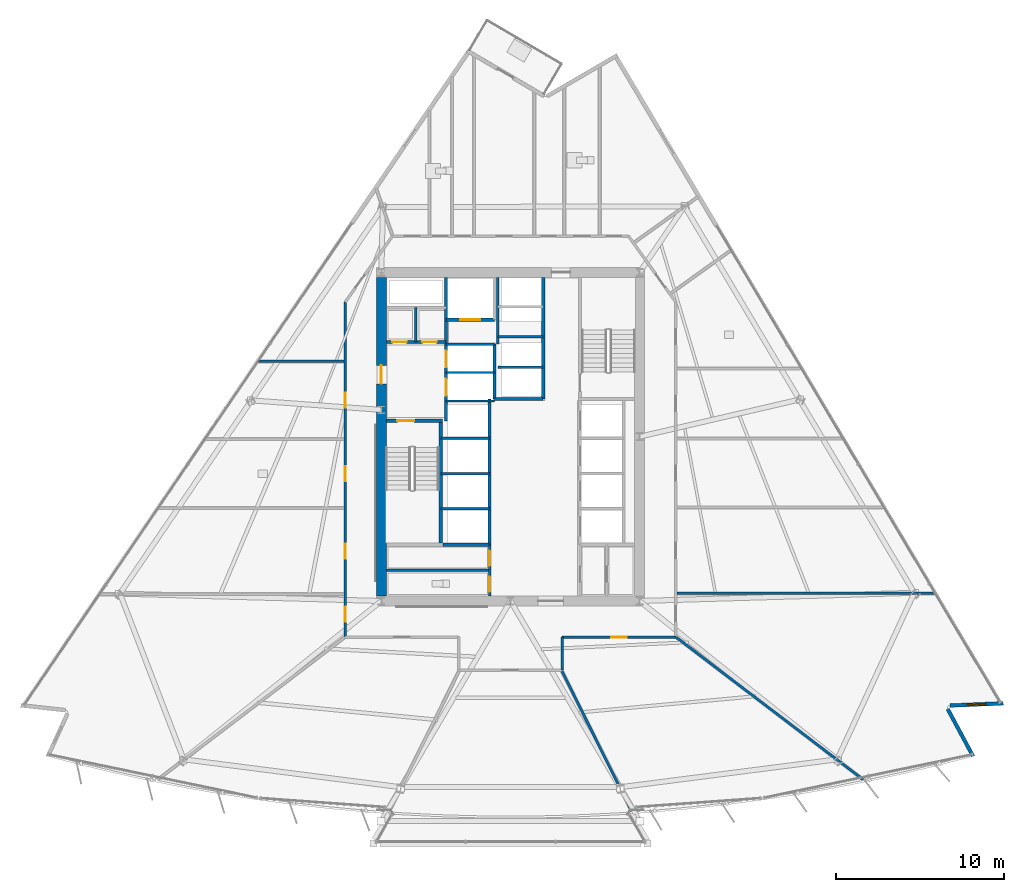
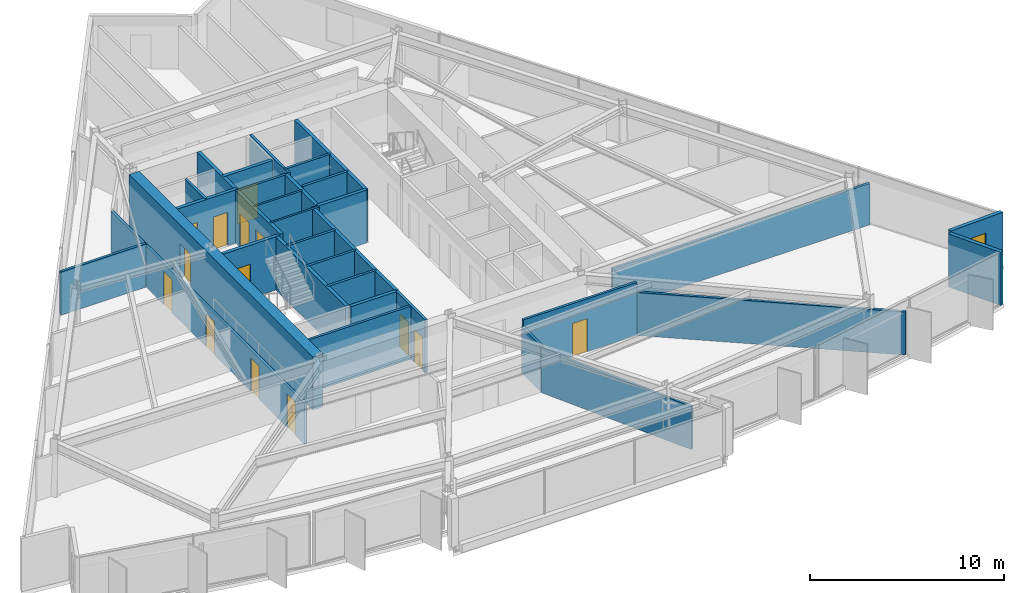
# One storey, part 9 of 16: 32 walls, 14 doors, 1 window, 15 openings.
"""IFC4 building model written with IfcOpenShell, lengths in metres."""

import ifcopenshell
import ifcopenshell.guid

model = None  # the IFC model being written
_history = None  # IfcOwnerHistory: only IFC2X3 demands one
_inside = {}  # id of a spatial element -> (the spatial element, [elements in it])
_under = {}  # id of a project, library or spatial element -> (it, [spatial elements below it])
_declared = {}  # id of a project -> (the project, [libraries it declares])
_typed = {}  # id of a type object -> (the type object, [elements of that type])
_made_of = {}  # id of a material, layer set ... -> (it, [elements and type objects made of it])


def new_model(schema):
    """Start an empty IFC model of exactly this schema.

    Asked for "IFC4X3", IfcOpenShell would pick the latest addendum, in which some entities
    have other attributes; the version numbers below select the first issue.
    IFC2X3 requires an IfcOwnerHistory on every rooted entity: one is made here for all.
    """
    global model, _history
    if schema == "IFC4X3":
        model = ifcopenshell.file(schema_version=(4, 3, 0, 0))
    else:
        model = ifcopenshell.file(schema=schema)
    _inside.clear()
    _under.clear()
    _declared.clear()
    _typed.clear()
    _made_of.clear()
    _history = None
    if model.schema == "IFC2X3":
        org = make("IfcOrganization", Name="unknown")
        user = make(
            "IfcPersonAndOrganization",
            ThePerson=make("IfcPerson", FamilyName="unknown"),
            TheOrganization=org,
        )
        app = make(
            "IfcApplication",
            ApplicationDeveloper=org,
            Version="unknown",
            ApplicationFullName="unknown",
            ApplicationIdentifier="unknown",
        )
        _history = make(
            "IfcOwnerHistory",
            OwningUser=user,
            OwningApplication=app,
            ChangeAction="ADDED",
            CreationDate=0,
        )
    return model


def make(cls, **values):
    """One entity of the class cls with the attributes given. An attribute that is None is left unset."""
    return model.create_entity(
        cls, **{name: value for name, value in values.items() if value is not None}
    )


def rooted(cls, **values):
    """An entity with a GlobalId (a new one), such as an element, a storey or a relation."""
    return make(cls, GlobalId=ifcopenshell.guid.new(), OwnerHistory=_history, **values)


def si_unit(unit_type, name, prefix=None):
    """IfcSIUnit, for example si_unit("LENGTHUNIT", "METRE", prefix="MILLI")."""
    return make("IfcSIUnit", UnitType=unit_type, Prefix=prefix, Name=name)


def assignment(units):
    """IfcUnitAssignment: the units of a project."""
    return None if units is None else make("IfcUnitAssignment", Units=units)


def point(xyz):
    """IfcCartesianPoint."""
    return None if xyz is None else make("IfcCartesianPoint", Coordinates=xyz)


def direction(xyz):
    """IfcDirection."""
    return None if xyz is None else make("IfcDirection", DirectionRatios=xyz)


def frame(location, z_axis=None, x_axis=None):
    """IfcAxis2Placement3D, a coordinate frame: its origin and axes. An axis left out is left unset."""
    return make(
        "IfcAxis2Placement3D",
        Location=point(location),
        Axis=direction(z_axis),
        RefDirection=direction(x_axis),
    )


def frame_2d(location, x_axis=None):
    """IfcAxis2Placement2D, a coordinate frame in the plane: its origin and x axis."""
    return make(
        "IfcAxis2Placement2D", Location=point(location), RefDirection=direction(x_axis)
    )


def origin():
    """The frame at (0, 0, 0) with its axes left unset."""
    return frame((0.0, 0.0, 0.0))


def place(relative_to, where):
    """IfcLocalPlacement: puts the frame where relative to a parent placement (None: the world)."""
    return make(
        "IfcLocalPlacement", PlacementRelTo=relative_to, RelativePlacement=where
    )


def context(
    kind, dimensions, precision=None, world=None, true_north=None, identifier=None
):
    """IfcGeometricRepresentationContext, for example the 3D "Model" context."""
    return make(
        "IfcGeometricRepresentationContext",
        ContextIdentifier=identifier,
        ContextType=kind,
        CoordinateSpaceDimension=dimensions,
        Precision=precision,
        WorldCoordinateSystem=world,
        TrueNorth=true_north,
    )


def subcontext(parent, identifier, kind, view, scale=None):
    """IfcGeometricRepresentationSubContext, for example "Body" below "Model"."""
    return make(
        "IfcGeometricRepresentationSubContext",
        ContextIdentifier=identifier,
        ContextType=kind,
        ParentContext=parent,
        TargetScale=scale,
        TargetView=view,
    )


def project(units=None, contexts=None):
    """IfcProject with its units and contexts."""
    return rooted(
        "IfcProject",
        Name="project",
        RepresentationContexts=contexts,
        UnitsInContext=assignment(units),
    )


def spatial(cls, under=None, at=None, **own):
    """A site, building, storey or space (cls), placed at a placement, below another one or the project."""
    s = rooted(cls, ObjectPlacement=at, **own)
    if under is not None:
        _under.setdefault(under.id(), (under, []))[1].append(s)
    return s


def profile(cls, at=None, kind="AREA", **sizes):
    """A parametric profile (cls). Its sizes go by their IFC names, for example OverallWidth=200.0."""
    return make(cls, ProfileType=kind, Position=at, **sizes)


def rectangle(**sizes):
    """IfcRectangleProfileDef."""
    return profile("IfcRectangleProfileDef", **sizes)


def extrude(swept, where, along, depth):
    """IfcExtrudedAreaSolid: the profile swept, set in the frame where, extruded along a direction by depth."""
    return make(
        "IfcExtrudedAreaSolid",
        SweptArea=swept,
        Position=where,
        ExtrudedDirection=direction(along),
        Depth=depth,
    )


def shape(context_of_items, identifier, shape_type, items):
    """IfcShapeRepresentation: the items that make up one representation, for example the "Body"."""
    return make(
        "IfcShapeRepresentation",
        ContextOfItems=context_of_items,
        RepresentationIdentifier=identifier,
        RepresentationType=shape_type,
        Items=items,
    )


def material(Name=None, Category=None):
    """IfcMaterial."""
    return make("IfcMaterial", Name=Name, Category=Category)


def layer(
    of_material, thickness, ventilated=None, Name=None, Category=None, Priority=None
):
    """IfcMaterialLayer: one layer of a wall or slab, of a material (None: an air gap)."""
    return make(
        "IfcMaterialLayer",
        Material=of_material,
        LayerThickness=thickness,
        IsVentilated=ventilated,
        Name=Name,
        Category=Category,
        Priority=Priority,
    )


def layer_set(layers, Name=None):
    """IfcMaterialLayerSet."""
    return make("IfcMaterialLayerSet", MaterialLayers=layers, LayerSetName=Name)


def made_of(thing, what):
    """Note that an element or type object is made of a material, layer set ...; save() writes the relation."""
    if what is not None:
        _made_of.setdefault(what.id(), (what, []))[1].append(thing)
    return thing


def type_object(cls, material=None, **own):
    """A type object (cls), such as IfcWallType, which elements share."""
    return made_of(rooted(cls, **own), material)


def element(
    cls,
    number,
    at=None,
    inside=None,
    cuts=None,
    type_object=None,
    material=None,
    context=None,
    identifier="Body",
    shape_type=None,
    held_by="IfcProductDefinitionShape",
    body=None,
    shapes=None,
    **own,
):
    """One element of the class cls, such as IfcWall. Its Tag is "e" and its number.

    at: its placement. inside: the storey or other place that contains it. cuts: it is an
    opening in that element (IfcRelVoidsElement). A single representation is given by context,
    identifier, shape_type and body (its items); several are given by shapes. held_by: the class
    of the entity that holds the representations. save() writes the other relations.
    """
    e = rooted(cls, Tag="e%d" % number, ObjectPlacement=at, **own)
    if body is not None:
        shapes = [shape(context, identifier, shape_type, body)]
    if shapes is not None:
        e.Representation = make(held_by, Representations=shapes)
    if inside is not None:
        _inside.setdefault(inside.id(), (inside, []))[1].append(e)
    if cuts is not None:
        rooted(
            "IfcRelVoidsElement", RelatingBuildingElement=cuts, RelatedOpeningElement=e
        )
    if type_object is not None:
        _typed.setdefault(type_object.id(), (type_object, []))[1].append(e)
    return made_of(e, material)


def fill(opening, filler):
    """IfcRelFillsElement: the door or window that sits in an opening."""
    return rooted(
        "IfcRelFillsElement",
        RelatingOpeningElement=opening,
        RelatedBuildingElement=filler,
    )


def aggregate(whole, parts):
    """IfcRelAggregates: a whole, such as a stair, and the parts it consists of."""
    return rooted("IfcRelAggregates", RelatingObject=whole, RelatedObjects=parts)


def save(model, path):
    """Write the relations noted so far, then the file.

    IfcRelAggregates (storeys below a building ...), IfcRelContainedInSpatialStructure (elements
    in a storey), IfcRelDefinesByType, IfcRelAssociatesMaterial and IfcRelDeclares: one each for
    every whole, place, type object, material and project.
    """
    for whole, parts in _under.values():
        aggregate(whole, parts)
    for where, things in _inside.values():
        rooted(
            "IfcRelContainedInSpatialStructure",
            RelatedElements=things,
            RelatingStructure=where,
        )
    for kind, things in _typed.values():
        rooted("IfcRelDefinesByType", RelatedObjects=things, RelatingType=kind)
    for what, things in _made_of.values():
        rooted("IfcRelAssociatesMaterial", RelatedObjects=things, RelatingMaterial=what)
    for by, libraries in _declared.values():
        rooted("IfcRelDeclares", RelatingContext=by, RelatedDefinitions=libraries)
    model.write(path)


model = new_model("IFC4")

# Units and contexts
model_context = context("Model", 3, precision=1e-05, world=origin(), true_north=direction((0.0, 1.0)))
body_context = subcontext(model_context, "Body", "Model", "MODEL_VIEW")
ifc_project = project(units=[si_unit("LENGTHUNIT", "METRE"), si_unit("AREAUNIT", "SQUARE_METRE"), si_unit("VOLUMEUNIT", "CUBIC_METRE"), si_unit("PLANEANGLEUNIT", "RADIAN"), si_unit("MASSUNIT", "GRAM", prefix="KILO")], contexts=[model_context])

# Site, building, storey
site_placement = place(None, origin())
site = spatial("IfcSite", under=ifc_project, at=site_placement, CompositionType="ELEMENT")
building_placement = place(site_placement, origin())
building = spatial("IfcBuilding", under=site, at=building_placement, Name="Savorim Split Tower", CompositionType="ELEMENT")
storey_placement = place(building_placement, frame((0.0, 0.0, 66.0)))
storey = spatial("IfcBuildingStorey", under=building, at=storey_placement, Name="L17", CompositionType="ELEMENT", Elevation=66.0)

# Wall, opening, door
ifc_material_1 = material(Name="Concrete C60/75", Category="concrete")
ifc_layer_1 = layer(ifc_material_1, 0.60009765625)
ifc_layer_set_1 = layer_set([ifc_layer_1], Name="WAL-COR-SH600")
wall_type_1 = type_object("IfcWallType", Name="WAL-COR-SH600", PredefinedType="SHEAR", material=ifc_layer_set_1)
wall_1_placement = place(storey_placement, frame((-7.699951171875, -9.10009765625, 0.0), z_axis=(0.0, 0.0, 1.0), x_axis=(0.0, 1.0, 0.0)))
wall_1 = element("IfcWall", 1, at=wall_1_placement, inside=storey, type_object=wall_type_1, Name="L17 Offset Core West Shear Wall", PredefinedType="SHEAR", context=body_context, shape_type="SweptSolid", body=[
    extrude(rectangle(XDim=19.0, YDim=0.60009765625, at=frame_2d((9.5, 0.0))), origin(), (0.0, 0.0, 1.0), 3.35009765625),
])
opening_1_placement = place(wall_1_placement, frame((12.64990234375, 0.0, 0.0)))
opening_1 = element("IfcOpeningElement", 2, at=opening_1_placement, cuts=wall_1, Name="Opening DI-03", PredefinedType="OPENING", context=body_context, shape_type="SweptSolid", body=[
    extrude(rectangle(XDim=1.10009765625, YDim=2.14990234375, at=frame_2d((0.550048828125, 1.074951171875))), frame((0.0, 0.31005859375, 0.0), z_axis=(0.0, -1.0, 0.0), x_axis=(1.0, 0.0, 0.0)), (0.0, 0.0, 1.0), 0.6201171875),
])
ifc_material_2 = material(Name="Timber Fire Door Leaf", Category="wood")
door_type_1 = type_object("IfcDoorType", Name="DOR-FIR-1100", OperationType="NOTDEFINED", PredefinedType="DOOR", material=ifc_material_2)
door_1_placement = place(opening_1_placement, origin())
door_1 = element("IfcDoor", 3, at=door_1_placement, inside=storey, type_object=door_type_1, Name="DOR-L17-COR-FFLOB - L17 Firefighting Lobby Corridor Door", OperationType="SINGLE_SWING_LEFT", OverallHeight=2.14990234375, OverallWidth=1.10009765625, PredefinedType="DOOR", context=body_context, shape_type="SweptSolid", body=[
    extrude(rectangle(XDim=1.10009765625, YDim=2.14990234375, at=frame_2d((0.550048828125, 1.074951171875))), frame((0.0, 0.02490234375, 0.0), z_axis=(0.0, -1.0, 0.0), x_axis=(1.0, 0.0, 0.0)), (0.0, 0.0, 1.0), 0.050048828125),
])
fill(opening_1, door_1)

# Wall
ifc_material_3 = material(Name="Precast concrete C40/50", Category="concrete")
ifc_layer_2 = layer(ifc_material_3, 0.219970703125)
ifc_layer_set_2 = layer_set([ifc_layer_2], Name="WAL-EXT-CRN220")
wall_type_2 = type_object("IfcWallType", Name="WAL-EXT-CRN220", PredefinedType="SOLIDWALL", material=ifc_layer_set_2)
wall_2_placement = place(storey_placement, frame((26.085693359375, -15.852294921875, 0.0), z_axis=(0.0, 0.0, 1.0), x_axis=(0.472775670204, -0.881182821929, 0.0)))
element("IfcWall", 4, at=wall_2_placement, inside=storey, type_object=wall_type_2, Name="L17 Notched Corner Facade Wall SE1", PredefinedType="SOLIDWALL", context=body_context, shape_type="SweptSolid", body=[
    extrude(rectangle(XDim=3.189697265625, YDim=0.219970703125, at=frame_2d((1.5947265625, 0.0))), origin(), (0.0, 0.0, 1.0), 3.35009765625),
])

# Wall, opening, window
wall_3_placement = place(storey_placement, frame((29.39111328125, -15.50341796875, 0.0), z_axis=(0.0, 0.0, 1.0), x_axis=(-0.999095632957, -0.042519597906, 0.0)))
wall_3 = element("IfcWall", 5, at=wall_3_placement, inside=storey, type_object=wall_type_2, Name="L17 Notched Corner Facade Wall SE", PredefinedType="SOLIDWALL", context=body_context, shape_type="SweptSolid", body=[
    extrude(rectangle(XDim=3.186767578125, YDim=0.219970703125, at=frame_2d((1.59326171875, 0.0))), origin(), (0.0, 0.0, 1.0), 3.35009765625),
])
opening_2_placement = place(wall_3_placement, frame((1.043212890625, 0.0, 0.6201171875)))
opening_2 = element("IfcOpeningElement", 6, at=opening_2_placement, cuts=wall_3, Name="Opening WN-09", PredefinedType="OPENING", context=body_context, shape_type="SweptSolid", body=[
    extrude(rectangle(XDim=1.10009765625, YDim=1.800048828125, at=frame_2d((0.550048828125, 0.89990234375))), frame((0.0, 0.119873046875, 0.0), z_axis=(0.0, -1.0, 0.0), x_axis=(1.0, 0.0, 0.0)), (0.0, 0.0, 1.0), 0.239990234375),
])
ifc_material_4 = material(Name="Low-E Operable Double Glazing", Category="glass")
window_type = type_object("IfcWindowType", Name="WIN-TWR-1100x1800", PartitioningType="SINGLE_PANEL", PredefinedType="WINDOW", material=ifc_material_4)
window_placement = place(opening_2_placement, origin())
window = element("IfcWindow", 7, at=window_placement, inside=storey, type_object=window_type, Name="L17 Operable Corner Window SE", OverallHeight=1.800048828125, OverallWidth=1.10009765625, PartitioningType="SINGLE_PANEL", PredefinedType="WINDOW", context=body_context, shape_type="SweptSolid", body=[
    extrude(rectangle(XDim=1.10009765625, YDim=1.800048828125, at=frame_2d((0.550048828125, 0.89990234375))), frame((0.0, 0.030029296875, 0.0), z_axis=(0.0, -1.0, 0.0), x_axis=(1.0, 0.0, 0.0)), (0.0, 0.0, 1.0), 0.06005859375),
])
fill(opening_2, window)

# Wall, opening, door
ifc_material_5 = material(Name="Concrete C50/60", Category="concrete")
ifc_layer_3 = layer(ifc_material_5, 0.199951171875)
ifc_layer_set_3 = layer_set([ifc_layer_3], Name="WAL-INT-RC200")
wall_type_3 = type_object("IfcWallType", Name="WAL-INT-RC200", PredefinedType="SOLIDWALL", material=ifc_layer_set_3)
wall_4_placement = place(storey_placement, frame((-7.39990234375, 1.35009765625, 0.0), z_axis=(0.0, 0.0, 1.0), x_axis=(1.0, 0.0, 0.0)))
wall_4 = element("IfcWall", 8, at=wall_4_placement, inside=storey, type_object=wall_type_3, Name="L17 Structural Shaft Wall W-L17-CR01", PredefinedType="SOLIDWALL", context=body_context, shape_type="SweptSolid", body=[
    extrude(rectangle(XDim=3.349853515625, YDim=0.199951171875, at=frame_2d((1.6748046875, 0.0))), origin(), (0.0, 0.0, 1.0), 3.35009765625),
])
opening_3_placement = place(wall_4_placement, frame((0.64990234375, 0.0, 0.0)))
opening_3 = element("IfcOpeningElement", 9, at=opening_3_placement, cuts=wall_4, Name="Opening DI-04", PredefinedType="OPENING", context=body_context, shape_type="SweptSolid", body=[
    extrude(rectangle(XDim=1.0, YDim=2.14990234375, at=frame_2d((0.5, 1.074951171875))), frame((0.0, 0.10986328125, 0.0), z_axis=(0.0, -1.0, 0.0), x_axis=(1.0, 0.0, 0.0)), (0.0, 0.0, 1.0), 0.219970703125),
])
door_type_2 = type_object("IfcDoorType", Name="DOR-FIR-1000", OperationType="NOTDEFINED", PredefinedType="DOOR", material=ifc_material_2)
door_2_placement = place(opening_3_placement, origin())
door_2 = element("IfcDoor", 10, at=door_2_placement, inside=storey, type_object=door_type_2, Name="DR-L17-ST1 - L17 Stair ST-1 Enclosure Door", OperationType="SINGLE_SWING_LEFT", OverallHeight=2.14990234375, OverallWidth=1.0, PredefinedType="DOOR", context=body_context, shape_type="SweptSolid", body=[
    extrude(rectangle(XDim=1.0, YDim=2.14990234375, at=frame_2d((0.5, 1.074951171875))), frame((0.0, 0.02490234375, 0.0), z_axis=(0.0, -1.0, 0.0), x_axis=(1.0, 0.0, 0.0)), (0.0, 0.0, 1.0), 0.050048828125),
])
fill(opening_3, door_2)

# Wall
wall_5_placement = place(storey_placement, frame((-4.14990234375, -5.949951171875, 0.0), z_axis=(0.0, 0.0, 1.0), x_axis=(0.0, 1.0, 0.0)))
element("IfcWall", 11, at=wall_5_placement, inside=storey, type_object=wall_type_3, Name="L17 Structural Shaft Wall W-L17-CR02", PredefinedType="SOLIDWALL", context=body_context, shape_type="SweptSolid", body=[
    extrude(rectangle(XDim=7.199951171875, YDim=0.199951171875, at=frame_2d((3.60009765625, 0.0))), origin(), (0.0, 0.0, 1.0), 3.35009765625),
])

# Wall, openings, doors
wall_6_placement = place(storey_placement, frame((-3.85009765625, 1.35009765625, 0.0), z_axis=(0.0, 0.0, 1.0), x_axis=(0.0, 1.0, 0.0)))
wall_6 = element("IfcWall", 12, at=wall_6_placement, inside=storey, type_object=wall_type_3, Name="L17 Partition W-L17-CR03", PredefinedType="SOLIDWALL", context=body_context, shape_type="SweptSolid", body=[
    extrude(rectangle(XDim=8.544921875, YDim=0.199951171875, at=frame_2d((4.2724609375, 0.0))), origin(), (0.0, 0.0, 1.0), 3.35009765625),
])
opening_4_placement = place(wall_6_placement, frame((1.5, 0.0, 0.0)))
opening_4 = element("IfcOpeningElement", 13, at=opening_4_placement, cuts=wall_6, Name="Opening LD-FFL", PredefinedType="OPENING", context=body_context, shape_type="SweptSolid", body=[
    extrude(rectangle(XDim=1.0, YDim=2.14990234375, at=frame_2d((0.5, 1.074951171875))), frame((0.0, 0.10986328125, 0.0), z_axis=(0.0, -1.0, 0.0), x_axis=(1.0, 0.0, 0.0)), (0.0, 0.0, 1.0), 0.219970703125),
])
opening_5_placement = place(wall_6_placement, frame((3.179931640625, 0.0, 0.0)))
opening_5 = element("IfcOpeningElement", 14, at=opening_5_placement, cuts=wall_6, Name="Opening LD-FFL", PredefinedType="OPENING", context=body_context, shape_type="SweptSolid", body=[
    extrude(rectangle(XDim=1.0, YDim=2.14990234375, at=frame_2d((0.5, 1.074951171875))), frame((0.0, 0.10986328125, 0.0), z_axis=(0.0, -1.0, 0.0), x_axis=(1.0, 0.0, 0.0)), (0.0, 0.0, 1.0), 0.219970703125),
])
ifc_material_6 = material(Name="Charcoal Anodised Aluminium", Category="aluminium")
door_type_3 = type_object("IfcDoorType", Name="DOR-SLD-LD1000", OperationType="NOTDEFINED", PredefinedType="DOOR", material=ifc_material_6)
door_3_placement = place(opening_4_placement, origin())
door_3 = element("IfcDoor", 15, at=door_3_placement, inside=storey, type_object=door_type_3, Name="DR-L17-LD-FFL1 - L17 Firefighting Lift FFL-1 Sliding Landing Door", OperationType="DOUBLE_DOOR_SLIDING", OverallHeight=2.14990234375, OverallWidth=1.0, PredefinedType="DOOR", context=body_context, shape_type="SweptSolid", body=[
    extrude(rectangle(XDim=1.0, YDim=2.14990234375, at=frame_2d((0.5, 1.074951171875))), frame((0.0, 0.02490234375, 0.0), z_axis=(0.0, -1.0, 0.0), x_axis=(1.0, 0.0, 0.0)), (0.0, 0.0, 1.0), 0.050048828125),
])
fill(opening_4, door_3)
door_4_placement = place(opening_5_placement, origin())
door_4 = element("IfcDoor", 16, at=door_4_placement, inside=storey, type_object=door_type_3, Name="DR-L17-LD-FFL2 - L17 Firefighting Lift FFL-2 Sliding Landing Door", OperationType="DOUBLE_DOOR_SLIDING", OverallHeight=2.14990234375, OverallWidth=1.0, PredefinedType="DOOR", context=body_context, shape_type="SweptSolid", body=[
    extrude(rectangle(XDim=1.0, YDim=2.14990234375, at=frame_2d((0.5, 1.074951171875))), frame((0.0, 0.02490234375, 0.0), z_axis=(0.0, -1.0, 0.0), x_axis=(1.0, 0.0, 0.0)), (0.0, 0.0, 1.0), 0.050048828125),
])
fill(opening_5, door_4)

wall_7_placement = place(storey_placement, frame((-7.39501953125, 6.050048828125, 0.0), z_axis=(0.0, 0.0, 1.0), x_axis=(1.0, 0.0, 0.0)))
wall_7 = element("IfcWall", 17, at=wall_7_placement, inside=storey, type_object=wall_type_3, Name="L17 Partition W-L17-CR04", PredefinedType="SOLIDWALL", context=body_context, shape_type="SweptSolid", body=[
    extrude(rectangle(XDim=3.544921875, YDim=0.199951171875, at=frame_2d((1.7724609375, 0.0))), origin(), (0.0, 0.0, 1.0), 3.35009765625),
])
opening_6_placement = place(wall_7_placement, frame((0.344970703125, 0.0, 0.0)))
opening_6 = element("IfcOpeningElement", 18, at=opening_6_placement, cuts=wall_7, Name="Opening DI-12", PredefinedType="OPENING", context=body_context, shape_type="SweptSolid", body=[
    extrude(rectangle(XDim=0.85009765625, YDim=2.10009765625, at=frame_2d((0.425048828125, 1.050048828125))), frame((0.0, 0.10986328125, 0.0), z_axis=(0.0, -1.0, 0.0), x_axis=(1.0, 0.0, 0.0)), (0.0, 0.0, 1.0), 0.219970703125),
])
opening_7_placement = place(wall_7_placement, frame((2.14501953125, 0.0, 0.0)))
opening_7 = element("IfcOpeningElement", 19, at=opening_7_placement, cuts=wall_7, Name="Opening DI-12", PredefinedType="OPENING", context=body_context, shape_type="SweptSolid", body=[
    extrude(rectangle(XDim=0.85009765625, YDim=2.10009765625, at=frame_2d((0.425048828125, 1.050048828125))), frame((0.0, 0.10986328125, 0.0), z_axis=(0.0, -1.0, 0.0), x_axis=(1.0, 0.0, 0.0)), (0.0, 0.0, 1.0), 0.219970703125),
])
ifc_material_7 = material(Name="Galvanised Painted Steel Balustrade", Category="steel")
door_type_4 = type_object("IfcDoorType", Name="DOR-RIS-850", OperationType="NOTDEFINED", PredefinedType="DOOR", material=ifc_material_7)
door_5_placement = place(opening_6_placement, origin())
door_5 = element("IfcDoor", 20, at=door_5_placement, inside=storey, type_object=door_type_4, Name="DR-L17-ELR - L17 Electrical Riser Access Door", OperationType="SINGLE_SWING_RIGHT", OverallHeight=2.10009765625, OverallWidth=0.85009765625, PredefinedType="DOOR", context=body_context, shape_type="SweptSolid", body=[
    extrude(rectangle(XDim=0.85009765625, YDim=2.10009765625, at=frame_2d((0.425048828125, 1.050048828125))), frame((0.0, 0.02490234375, 0.0), z_axis=(0.0, -1.0, 0.0), x_axis=(1.0, 0.0, 0.0)), (0.0, 0.0, 1.0), 0.050048828125),
])
fill(opening_6, door_5)
door_6_placement = place(opening_7_placement, origin())
door_6 = element("IfcDoor", 21, at=door_6_placement, inside=storey, type_object=door_type_4, Name="DR-L17-TLR - L17 Telecom Riser Access Door", OperationType="SINGLE_SWING_LEFT", OverallHeight=2.10009765625, OverallWidth=0.85009765625, PredefinedType="DOOR", context=body_context, shape_type="SweptSolid", body=[
    extrude(rectangle(XDim=0.85009765625, YDim=2.10009765625, at=frame_2d((0.425048828125, 1.050048828125))), frame((0.0, 0.02490234375, 0.0), z_axis=(0.0, -1.0, 0.0), x_axis=(1.0, 0.0, 0.0)), (0.0, 0.0, 1.0), 0.050048828125),
])
fill(opening_7, door_6)

# Wall
wall_8_placement = place(storey_placement, frame((-0.949951171875, 2.64990234375, 0.0), z_axis=(0.0, 0.0, 1.0), x_axis=(0.0, 1.0, 0.0)))
element("IfcWall", 22, at=wall_8_placement, inside=storey, type_object=wall_type_3, Name="L17 Partition W-L17-FFLW", PredefinedType="SOLIDWALL", context=body_context, shape_type="SweptSolid", body=[
    extrude(rectangle(XDim=3.27001953125, YDim=0.199951171875, at=frame_2d((1.635009765625, 0.0))), origin(), (0.0, 0.0, 1.0), 3.35009765625),
])

# Wall, opening, door
wall_9_placement = place(storey_placement, frame((-3.85009765625, 7.3798828125, 0.0), z_axis=(0.0, 0.0, 1.0), x_axis=(1.0, 0.0, 0.0)))
wall_9 = element("IfcWall", 23, at=wall_9_placement, inside=storey, type_object=wall_type_3, Name="L17 Partition W-L17-SVLS", PredefinedType="SOLIDWALL", context=body_context, shape_type="SweptSolid", body=[
    extrude(rectangle(XDim=2.900146484375, YDim=0.199951171875, at=frame_2d((1.4501953125, 0.0))), origin(), (0.0, 0.0, 1.0), 3.35009765625),
])
opening_8_placement = place(wall_9_placement, frame((0.85009765625, 0.0, 0.0)))
opening_8 = element("IfcOpeningElement", 24, at=opening_8_placement, cuts=wall_9, Name="Opening LD-SV", PredefinedType="OPENING", context=body_context, shape_type="SweptSolid", body=[
    extrude(rectangle(XDim=1.199951171875, YDim=2.199951171875, at=frame_2d((0.60009765625, 1.10009765625))), frame((0.0, 0.10986328125, 0.0), z_axis=(0.0, -1.0, 0.0), x_axis=(1.0, 0.0, 0.0)), (0.0, 0.0, 1.0), 0.219970703125),
])
door_type_5 = type_object("IfcDoorType", Name="DOR-SLD-SV1200", OperationType="NOTDEFINED", PredefinedType="DOOR", material=ifc_material_6)
door_7_placement = place(opening_8_placement, origin())
door_7 = element("IfcDoor", 25, at=door_7_placement, inside=storey, type_object=door_type_5, Name="DR-L17-LD-SVL1 - L17 Service Lift SVL-1 Sliding Landing Door", OperationType="DOUBLE_DOOR_SLIDING", OverallHeight=2.199951171875, OverallWidth=1.199951171875, PredefinedType="DOOR", context=body_context, shape_type="SweptSolid", body=[
    extrude(rectangle(XDim=1.199951171875, YDim=2.199951171875, at=frame_2d((0.60009765625, 1.10009765625))), frame((0.0, 0.02490234375, 0.0), z_axis=(0.0, -1.0, 0.0), x_axis=(1.0, 0.0, 0.0)), (0.0, 0.0, 1.0), 0.050048828125),
])
fill(opening_8, door_7)

# Walls
wall_10_placement = place(storey_placement, frame((-1.25, -6.050048828125, 0.0), z_axis=(0.0, 0.0, 1.0), x_axis=(0.0, 1.0, 0.0)))
element("IfcWall", 26, at=wall_10_placement, inside=storey, type_object=wall_type_3, Name="L17 Partition W-L17-B2FRONT", PredefinedType="SOLIDWALL", context=body_context, shape_type="SweptSolid", body=[
    extrude(rectangle(XDim=8.699951171875, YDim=0.199951171875, at=frame_2d((4.35009765625, 0.0))), origin(), (0.0, 0.0, 1.0), 3.35009765625),
])
wall_11_placement = place(storey_placement, frame((1.949951171875, 2.64990234375, 0.0), z_axis=(0.0, 0.0, 1.0), x_axis=(0.0, 1.0, 0.0)))
element("IfcWall", 27, at=wall_11_placement, inside=storey, type_object=wall_type_3, Name="L17 Partition W-L17-B3FRONT", PredefinedType="SOLIDWALL", context=body_context, shape_type="SweptSolid", body=[
    extrude(rectangle(XDim=7.2451171875, YDim=0.199951171875, at=frame_2d((3.62255859375, 0.0))), origin(), (0.0, 0.0, 1.0), 3.35009765625),
])
wall_12_placement = place(storey_placement, frame((-0.949951171875, 2.64990234375, 0.0), z_axis=(0.0, 0.0, 1.0), x_axis=(1.0, 0.0, 0.0)))
element("IfcWall", 28, at=wall_12_placement, inside=storey, type_object=wall_type_3, Name="L17 Partition W-L17-B3SOUTH", PredefinedType="SOLIDWALL", context=body_context, shape_type="SweptSolid", body=[
    extrude(rectangle(XDim=2.89990234375, YDim=0.199951171875, at=frame_2d((1.449951171875, 0.0))), origin(), (0.0, 0.0, 1.0), 3.35009765625),
])
wall_13_placement = place(storey_placement, frame((-4.0400390625, -6.050048828125, 0.0), z_axis=(0.0, 0.0, 1.0), x_axis=(1.0, 0.0, 0.0)))
element("IfcWall", 29, at=wall_13_placement, inside=storey, type_object=wall_type_3, Name="L17 Partition W-L17-KSEP-W2", PredefinedType="SOLIDWALL", context=body_context, shape_type="SweptSolid", body=[
    extrude(rectangle(XDim=2.7900390625, YDim=0.199951171875, at=frame_2d((1.39501953125, 0.0))), origin(), (0.0, 0.0, 1.0), 3.35009765625),
])
ifc_material_8 = material(Name="Acoustic Gypsum Partition Board")
ifc_layer_4 = layer(ifc_material_8, 0.1201171875)
ifc_layer_set_4 = layer_set([ifc_layer_4], Name="WAL-PAR-120")
wall_type_4 = type_object("IfcWallType", Name="WAL-PAR-120", PredefinedType="PARTITIONING", material=ifc_layer_set_4)
for number, where, z_axis, x_axis, name in (
    (30, (-3.85009765625, 2.52001953125, 0.0), (0.0, 0.0, 1.0), (1.0, 0.0, 0.0), "L17 Partition W-L17-FFLD0"),
    (31, (-3.85009765625, 4.219970703125, 0.0), (0.0, 0.0, 1.0), (1.0, 0.0, 0.0), "L17 Partition W-L17-FFLD1"),
):
    element("IfcWall", number, at=place(storey_placement, frame(where, z_axis=z_axis, x_axis=x_axis)), inside=storey, type_object=wall_type_4, Name=name, PredefinedType="PARTITIONING", context=body_context, shape_type="SweptSolid", body=[
        extrude(rectangle(XDim=2.900146484375, YDim=0.1201171875, at=frame_2d((1.4501953125, 0.0))), origin(), (0.0, 0.0, 1.0), 3.35009765625),
    ])
ifc_layer_5 = layer(ifc_material_8, 0.14990234375)
ifc_layer_set_5 = layer_set([ifc_layer_5], Name="WAL-PAR-150")
wall_type_5 = type_object("IfcWallType", Name="WAL-PAR-150", PredefinedType="PARTITIONING", material=ifc_layer_set_5)
wall_14_placement = place(storey_placement, frame((-5.64990234375, 6.050048828125, 0.0), z_axis=(0.0, 0.0, 1.0), x_axis=(0.0, 1.0, 0.0)))
element("IfcWall", 32, at=wall_14_placement, inside=storey, type_object=wall_type_5, Name="L17 Partition W-L17-CR06", PredefinedType="PARTITIONING", context=body_context, shape_type="SweptSolid", body=[
    extrude(rectangle(XDim=2.050048828125, YDim=0.14990234375, at=frame_2d((1.02490234375, 0.0))), origin(), (0.0, 0.0, 1.0), 3.35009765625),
])
wall_15_placement = place(storey_placement, frame((-3.85009765625, 5.89990234375, 0.0), z_axis=(0.0, 0.0, 1.0), x_axis=(1.0, 0.0, 0.0)))
element("IfcWall", 33, at=wall_15_placement, inside=storey, type_object=wall_type_5, Name="L17 Partition W-L17-FFLD2", PredefinedType="PARTITIONING", context=body_context, shape_type="SweptSolid", body=[
    extrude(rectangle(XDim=2.900146484375, YDim=0.14990234375, at=frame_2d((1.4501953125, 0.0))), origin(), (0.0, 0.0, 1.0), 3.35009765625),
])
for number, where, z_axis, x_axis, name in (
    (34, (-4.14990234375, -3.89990234375, 0.0), (0.0, 0.0, 1.0), (1.0, 0.0, 0.0), "L17 Partition W-L17-B2DIV1"),
    (35, (-4.14990234375, -1.800048828125, 0.0), (0.0, 0.0, 1.0), (1.0, 0.0, 0.0), "L17 Partition W-L17-B2DIV2"),
    (36, (-4.14990234375, 0.300048828125, 0.0), (0.0, 0.0, 1.0), (1.0, 0.0, 0.0), "L17 Partition W-L17-B2DIV3"),
):
    element("IfcWall", number, at=place(storey_placement, frame(where, z_axis=z_axis, x_axis=x_axis)), inside=storey, type_object=wall_type_5, Name=name, PredefinedType="PARTITIONING", context=body_context, shape_type="SweptSolid", body=[
        extrude(rectangle(XDim=2.89990234375, YDim=0.14990234375, at=frame_2d((1.449951171875, 0.0))), origin(), (0.0, 0.0, 1.0), 3.35009765625),
    ])
wall_16_placement = place(storey_placement, frame((-0.75, 5.919921875, 0.0), z_axis=(0.0, 0.0, 1.0), x_axis=(0.0, 1.0, 0.0)))
element("IfcWall", 37, at=wall_16_placement, inside=storey, type_object=wall_type_5, Name="L17 Partition W-L17-B3WEST", PredefinedType="PARTITIONING", context=body_context, shape_type="SweptSolid", body=[
    extrude(rectangle(XDim=3.97509765625, YDim=0.14990234375, at=frame_2d((1.987548828125, 0.0))), origin(), (0.0, 0.0, 1.0), 3.35009765625),
])
for number, where, z_axis, x_axis, name in (
    (38, (-0.75, 4.550048828125, 0.0), (0.0, 0.0, 1.0), (1.0, 0.0, 0.0), "L17 Partition W-L17-B3DIV1"),
    (39, (-0.75, 6.35009765625, 0.0), (0.0, 0.0, 1.0), (1.0, 0.0, 0.0), "L17 Partition W-L17-B3DIV2"),
):
    element("IfcWall", number, at=place(storey_placement, frame(where, z_axis=z_axis, x_axis=x_axis)), inside=storey, type_object=wall_type_5, Name=name, PredefinedType="PARTITIONING", context=body_context, shape_type="SweptSolid", body=[
        extrude(rectangle(XDim=2.699951171875, YDim=0.14990234375, at=frame_2d((1.35009765625, 0.0))), origin(), (0.0, 0.0, 1.0), 3.35009765625),
    ])

# Wall, openings, doors
wall_17_placement = place(storey_placement, frame((-1.25, -9.094970703125, 0.0), z_axis=(0.0, 0.0, 1.0), x_axis=(0.0, 1.0, 0.0)))
wall_17 = element("IfcWall", 40, at=wall_17_placement, inside=storey, type_object=wall_type_5, Name="L17 Partition W-L17-KLOB-W", PredefinedType="PARTITIONING", context=body_context, shape_type="SweptSolid", body=[
    extrude(rectangle(XDim=3.044921875, YDim=0.14990234375, at=frame_2d((1.5224609375, 0.0))), origin(), (0.0, 0.0, 1.0), 3.35009765625),
])
opening_9_placement = place(wall_17_placement, frame((1.794921875, 0.0, 0.0)))
opening_9 = element("IfcOpeningElement", 41, at=opening_9_placement, cuts=wall_17, Name="Opening DI-06", PredefinedType="OPENING", context=body_context, shape_type="SweptSolid", body=[
    extrude(rectangle(XDim=0.89990234375, YDim=2.10009765625, at=frame_2d((0.449951171875, 1.050048828125))), frame((0.0, 0.0849609375, 0.0), z_axis=(0.0, -1.0, 0.0), x_axis=(1.0, 0.0, 0.0)), (0.0, 0.0, 1.0), 0.169921875),
])
opening_10_placement = place(wall_17_placement, frame((0.2451171875, 0.0, 0.0)))
opening_10 = element("IfcOpeningElement", 42, at=opening_10_placement, cuts=wall_17, Name="Opening DI-11", PredefinedType="OPENING", context=body_context, shape_type="SweptSolid", body=[
    extrude(rectangle(XDim=0.89990234375, YDim=2.10009765625, at=frame_2d((0.449951171875, 1.050048828125))), frame((0.0, 0.0849609375, 0.0), z_axis=(0.0, -1.0, 0.0), x_axis=(1.0, 0.0, 0.0)), (0.0, 0.0, 1.0), 0.169921875),
])
door_type_6 = type_object("IfcDoorType", Name="DOR-FIR-900", OperationType="NOTDEFINED", PredefinedType="DOOR", material=ifc_material_2)
door_8_placement = place(opening_9_placement, origin())
door_8 = element("IfcDoor", 43, at=door_8_placement, inside=storey, type_object=door_type_6, Name="DR-L17-K2CLN - L17 Cleaning Store Door", OperationType="SINGLE_SWING_LEFT", OverallHeight=2.10009765625, OverallWidth=0.89990234375, PredefinedType="DOOR", context=body_context, shape_type="SweptSolid", body=[
    extrude(rectangle(XDim=0.89990234375, YDim=2.10009765625, at=frame_2d((0.449951171875, 1.050048828125))), frame((0.0, 0.02490234375, 0.0), z_axis=(0.0, -1.0, 0.0), x_axis=(1.0, 0.0, 0.0)), (0.0, 0.0, 1.0), 0.050048828125),
])
fill(opening_9, door_8)
ifc_material_9 = material(Name="Oak Veneer Acoustic Door")
door_type_7 = type_object("IfcDoorType", Name="DOR-WC-900", OperationType="NOTDEFINED", PredefinedType="DOOR", material=ifc_material_9)
door_9_placement = place(opening_10_placement, origin())
door_9 = element("IfcDoor", 44, at=door_9_placement, inside=storey, type_object=door_type_7, Name="DR-L17-K2WC - L17 Core WC Door", OperationType="SINGLE_SWING_RIGHT", OverallHeight=2.10009765625, OverallWidth=0.89990234375, PredefinedType="DOOR", context=body_context, shape_type="SweptSolid", body=[
    extrude(rectangle(XDim=0.89990234375, YDim=2.10009765625, at=frame_2d((0.449951171875, 1.050048828125))), frame((0.0, 0.02490234375, 0.0), z_axis=(0.0, -1.0, 0.0), x_axis=(1.0, 0.0, 0.0)), (0.0, 0.0, 1.0), 0.050048828125),
])
fill(opening_10, door_9)

# Wall
wall_18_placement = place(storey_placement, frame((-7.39501953125, -7.580078125, 0.0), z_axis=(0.0, 0.0, 1.0), x_axis=(1.0, 0.0, 0.0)))
element("IfcWall", 45, at=wall_18_placement, inside=storey, type_object=wall_type_5, Name="L17 Partition W-L17-K2H", PredefinedType="PARTITIONING", context=body_context, shape_type="SweptSolid", body=[
    extrude(rectangle(XDim=6.14501953125, YDim=0.14990234375, at=frame_2d((3.072509765625, 0.0))), origin(), (0.0, 0.0, 1.0), 3.35009765625),
])

# Wall, openings, doors
wall_19_placement = place(storey_placement, frame((-9.860107421875, -11.56005859375, 0.0), z_axis=(0.0, 0.0, 1.0), x_axis=(0.0, 1.0, 0.0)))
wall_19 = element("IfcWall", 46, at=wall_19_placement, inside=storey, type_object=wall_type_5, Name="L17 Partition W-L17-COR-01", PredefinedType="PARTITIONING", context=body_context, shape_type="SweptSolid", body=[
    extrude(rectangle(XDim=19.98583984375, YDim=0.14990234375, at=frame_2d((9.992919921875, 0.0))), origin(), (0.0, 0.0, 1.0), 2.60888671875),
])
opening_11_placement = place(wall_19_placement, frame((9.310791015625, 0.0, 0.0)))
opening_11 = element("IfcOpeningElement", 47, at=opening_11_placement, cuts=wall_19, Name="Opening DI-06", PredefinedType="OPENING", context=body_context, shape_type="SweptSolid", body=[
    extrude(rectangle(XDim=0.89990234375, YDim=2.10009765625, at=frame_2d((0.449951171875, 1.050048828125))), frame((0.0, 0.0849609375, 0.0), z_axis=(0.0, -1.0, 0.0), x_axis=(1.0, 0.0, 0.0)), (0.0, 0.0, 1.0), 0.169921875),
])
opening_12_placement = place(wall_19_placement, frame((4.68115234375, 0.0, 0.0)))
opening_12 = element("IfcOpeningElement", 48, at=opening_12_placement, cuts=wall_19, Name="Opening DI-06", PredefinedType="OPENING", context=body_context, shape_type="SweptSolid", body=[
    extrude(rectangle(XDim=0.89990234375, YDim=2.10009765625, at=frame_2d((0.449951171875, 1.050048828125))), frame((0.0, 0.0849609375, 0.0), z_axis=(0.0, -1.0, 0.0), x_axis=(1.0, 0.0, 0.0)), (0.0, 0.0, 1.0), 0.169921875),
])
opening_13_placement = place(wall_19_placement, frame((0.91943359375, 0.0, 0.0)))
opening_13 = element("IfcOpeningElement", 49, at=opening_13_placement, cuts=wall_19, Name="Opening DI-06", PredefinedType="OPENING", context=body_context, shape_type="SweptSolid", body=[
    extrude(rectangle(XDim=0.89990234375, YDim=2.10009765625, at=frame_2d((0.449951171875, 1.050048828125))), frame((0.0, 0.0849609375, 0.0), z_axis=(0.0, -1.0, 0.0), x_axis=(1.0, 0.0, 0.0)), (0.0, 0.0, 1.0), 0.169921875),
])
opening_14_placement = place(wall_19_placement, frame((13.684326171875, 0.0, 0.0)))
opening_14 = element("IfcOpeningElement", 50, at=opening_14_placement, cuts=wall_19, Name="Opening DI-06", PredefinedType="OPENING", context=body_context, shape_type="SweptSolid", body=[
    extrude(rectangle(XDim=0.89990234375, YDim=2.10009765625, at=frame_2d((0.449951171875, 1.050048828125))), frame((0.0, 0.0849609375, 0.0), z_axis=(0.0, -1.0, 0.0), x_axis=(1.0, 0.0, 0.0)), (0.0, 0.0, 1.0), 0.169921875),
])
door_10_placement = place(opening_11_placement, origin())
door_10 = element("IfcDoor", 51, at=door_10_placement, inside=storey, type_object=door_type_6, Name="DR-L17-RM01 - L17 Shared Kitchen Entry Door", OperationType="SINGLE_SWING_RIGHT", OverallHeight=2.10009765625, OverallWidth=0.89990234375, PredefinedType="DOOR", context=body_context, shape_type="SweptSolid", body=[
    extrude(rectangle(XDim=0.89990234375, YDim=2.10009765625, at=frame_2d((0.449951171875, 1.050048828125))), frame((0.0, 0.02490234375, 0.0), z_axis=(0.0, -1.0, 0.0), x_axis=(1.0, 0.0, 0.0)), (0.0, 0.0, 1.0), 0.050048828125),
])
fill(opening_11, door_10)
door_11_placement = place(opening_12_placement, origin())
door_11 = element("IfcDoor", 52, at=door_11_placement, inside=storey, type_object=door_type_6, Name="DR-L17-RM02 - L17 Maker Workshop Entry Door", OperationType="SINGLE_SWING_LEFT", OverallHeight=2.10009765625, OverallWidth=0.89990234375, PredefinedType="DOOR", context=body_context, shape_type="SweptSolid", body=[
    extrude(rectangle(XDim=0.89990234375, YDim=2.10009765625, at=frame_2d((0.449951171875, 1.050048828125))), frame((0.0, 0.02490234375, 0.0), z_axis=(0.0, -1.0, 0.0), x_axis=(1.0, 0.0, 0.0)), (0.0, 0.0, 1.0), 0.050048828125),
])
fill(opening_12, door_11)
door_12_placement = place(opening_13_placement, origin())
door_12 = element("IfcDoor", 53, at=door_12_placement, inside=storey, type_object=door_type_6, Name="DR-L17-RM03 - L17 Co-Working Commons Entry Door", OperationType="SINGLE_SWING_RIGHT", OverallHeight=2.10009765625, OverallWidth=0.89990234375, PredefinedType="DOOR", context=body_context, shape_type="SweptSolid", body=[
    extrude(rectangle(XDim=0.89990234375, YDim=2.10009765625, at=frame_2d((0.449951171875, 1.050048828125))), frame((0.0, 0.02490234375, 0.0), z_axis=(0.0, -1.0, 0.0), x_axis=(1.0, 0.0, 0.0)), (0.0, 0.0, 1.0), 0.050048828125),
])
fill(opening_13, door_12)
door_13_placement = place(opening_14_placement, origin())
door_13 = element("IfcDoor", 54, at=door_13_placement, inside=storey, type_object=door_type_6, Name="DR-L17-RM21 - L17 Co-Working Commons Entry Door", OperationType="SINGLE_SWING_RIGHT", OverallHeight=2.10009765625, OverallWidth=0.89990234375, PredefinedType="DOOR", context=body_context, shape_type="SweptSolid", body=[
    extrude(rectangle(XDim=0.89990234375, YDim=2.10009765625, at=frame_2d((0.449951171875, 1.050048828125))), frame((0.0, 0.02490234375, 0.0), z_axis=(0.0, -1.0, 0.0), x_axis=(1.0, 0.0, 0.0)), (0.0, 0.0, 1.0), 0.050048828125),
])
fill(opening_14, door_13)

# Wall, opening, door
wall_20_placement = place(storey_placement, frame((9.860107421875, -11.56005859375, 0.0), z_axis=(0.0, 0.0, 1.0), x_axis=(-1.0, 0.0, 0.0)))
wall_20 = element("IfcWall", 55, at=wall_20_placement, inside=storey, type_object=wall_type_5, Name="L17 Partition W-L17-COR-06", PredefinedType="PARTITIONING", context=body_context, shape_type="SweptSolid", body=[
    extrude(rectangle(XDim=6.780029296875, YDim=0.14990234375, at=frame_2d((3.39013671875, 0.0))), origin(), (0.0, 0.0, 1.0), 3.35009765625),
])
opening_15_placement = place(wall_20_placement, frame((2.93994140625, 0.0, 0.0)))
opening_15 = element("IfcOpeningElement", 56, at=opening_15_placement, cuts=wall_20, Name="Opening DI-06", PredefinedType="OPENING", context=body_context, shape_type="SweptSolid", body=[
    extrude(rectangle(XDim=0.89990234375, YDim=2.10009765625, at=frame_2d((0.449951171875, 1.050048828125))), frame((0.0, 0.0849609375, 0.0), z_axis=(0.0, -1.0, 0.0), x_axis=(1.0, 0.0, 0.0)), (0.0, 0.0, 1.0), 0.169921875),
])
door_14_placement = place(opening_15_placement, origin())
door_14 = element("IfcDoor", 57, at=door_14_placement, inside=storey, type_object=door_type_6, Name="DR-L17-RM06 - L17 Maker Workshop Entry Door", OperationType="SINGLE_SWING_LEFT", OverallHeight=2.10009765625, OverallWidth=0.89990234375, PredefinedType="DOOR", context=body_context, shape_type="SweptSolid", body=[
    extrude(rectangle(XDim=0.89990234375, YDim=2.10009765625, at=frame_2d((0.449951171875, 1.050048828125))), frame((0.0, 0.02490234375, 0.0), z_axis=(0.0, -1.0, 0.0), x_axis=(1.0, 0.0, 0.0)), (0.0, 0.0, 1.0), 0.050048828125),
])
fill(opening_15, door_14)

# Walls
wall_21_placement = place(storey_placement, frame((3.080078125, -11.56005859375, 0.0), z_axis=(0.0, 0.0, 1.0), x_axis=(0.0, -1.0, 0.0)))
element("IfcWall", 58, at=wall_21_placement, inside=storey, type_object=wall_type_5, Name="L17 Partition W-L17-COR-07", PredefinedType="PARTITIONING", context=body_context, shape_type="SweptSolid", body=[
    extrude(rectangle(XDim=1.969970703125, YDim=0.14990234375, at=frame_2d((0.98486328125, 0.0))), origin(), (0.0, 0.0, 1.0), 2.925048828125),
])
wall_22_placement = place(storey_placement, frame((3.06591796875, -13.5732421875, 0.0), z_axis=(0.0, 0.0, 1.0), x_axis=(0.445213283885, -0.89542455397, 0.0)))
element("IfcWall", 59, at=wall_22_placement, inside=storey, type_object=wall_type_5, Name="L17 Partition W-L17-PRAD03", PredefinedType="PARTITIONING", context=body_context, shape_type="SweptSolid", body=[
    extrude(rectangle(XDim=9.329833984375, YDim=0.14990234375, at=frame_2d((4.6650390625, 0.0))), origin(), (0.0, 0.0, 1.0), 2.72509765625),
])
wall_23_placement = place(storey_placement, frame((9.887939453125, -11.568603515625, 0.0), z_axis=(0.0, 0.0, 1.0), x_axis=(0.795860269097, -0.605480331698, 0.0)))
element("IfcWall", 60, at=wall_23_placement, inside=storey, type_object=wall_type_5, Name="L17 Partition W-L17-PRAD04", PredefinedType="PARTITIONING", context=body_context, shape_type="SweptSolid", body=[
    extrude(rectangle(XDim=14.0126953125, YDim=0.14990234375, at=frame_2d((7.00634765625, 0.0))), origin(), (0.0, 0.0, 1.0), 2.72509765625),
])
wall_24_placement = place(storey_placement, frame((9.919921875, -8.95068359375, 0.0), z_axis=(0.0, 0.0, 1.0), x_axis=(1.0, 0.0, 0.0)))
element("IfcWall", 61, at=wall_24_placement, inside=storey, type_object=wall_type_5, Name="L17 Partition W-L17-PRAD05", PredefinedType="PARTITIONING", context=body_context, shape_type="SweptSolid", body=[
    extrude(rectangle(XDim=15.351806640625, YDim=0.14990234375, at=frame_2d((7.67578125, 0.0))), origin(), (0.0, 0.0, 1.0), 2.60888671875),
])
wall_25_placement = place(storey_placement, frame((-9.919921875, 4.88916015625, 0.0), z_axis=(0.0, 0.0, 1.0), x_axis=(-1.0, 0.0, 0.0)))
element("IfcWall", 62, at=wall_25_placement, inside=storey, type_object=wall_type_5, Name="L17 Partition W-L17-SUB12", PredefinedType="PARTITIONING", context=body_context, shape_type="SweptSolid", body=[
    extrude(rectangle(XDim=5.098876953125, YDim=0.14990234375, at=frame_2d((2.54931640625, 0.0))), origin(), (0.0, 0.0, 1.0), 2.735107421875),
])

save(model, "model.ifc")
